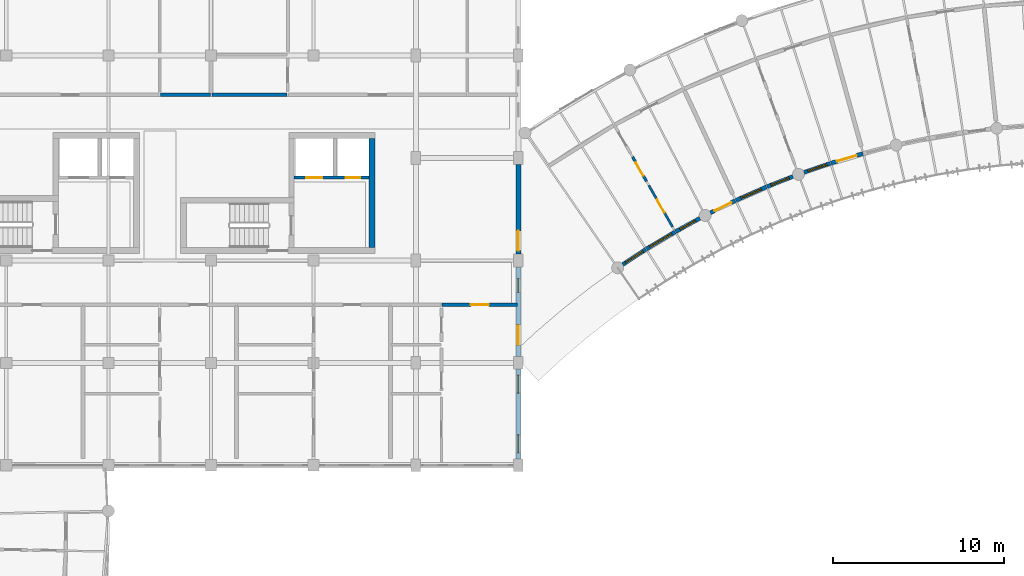
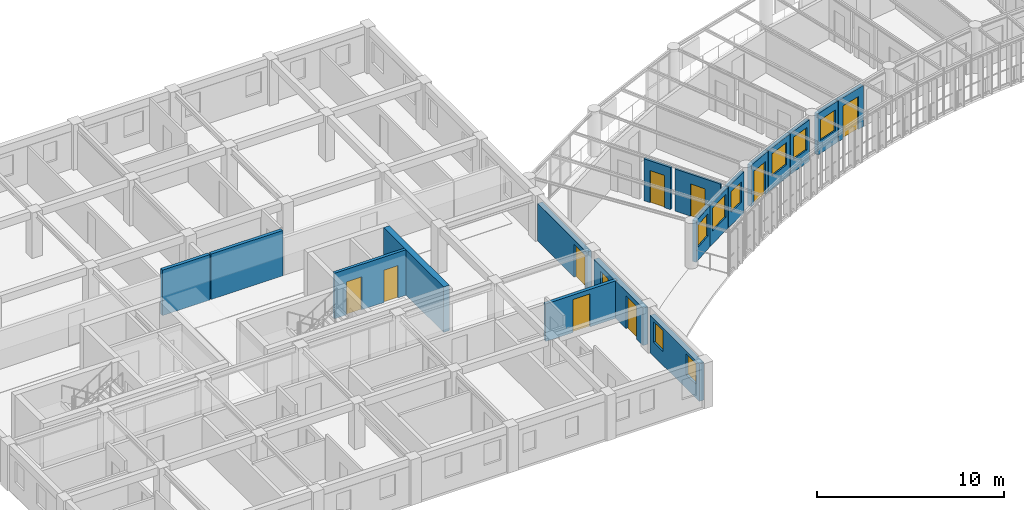
# One storey, part 71 of 100: 18 walls, 9 doors, 9 windows, 18 openings.
"""IFC4 building model written with IfcOpenShell, lengths in metres."""

from ifc_helpers import new_model, si_unit, direction, frame, frame_2d, origin, place, context, subcontext, project, spatial, rectangle, extrude, material, layer, layer_set, type_object, element, fill, save


model = new_model("IFC4")

# Units and contexts
model_context = context("Model", 3, precision=1e-05, world=origin(), true_north=direction((0.0, 1.0)))
body_context = subcontext(model_context, "Body", "Model", "MODEL_VIEW")
ifc_project = project(units=[si_unit("LENGTHUNIT", "METRE"), si_unit("AREAUNIT", "SQUARE_METRE"), si_unit("VOLUMEUNIT", "CUBIC_METRE"), si_unit("PLANEANGLEUNIT", "RADIAN"), si_unit("MASSUNIT", "GRAM", prefix="KILO"), si_unit("POWERUNIT", "WATT"), si_unit("THERMODYNAMICTEMPERATUREUNIT", "KELVIN")], contexts=[model_context])

# Site, building, storey
site_placement = place(None, origin())
site = spatial("IfcSite", under=ifc_project, at=site_placement, CompositionType="ELEMENT")
building_placement = place(site_placement, origin())
building = spatial("IfcBuilding", under=site, at=building_placement, Name="Ruvembo Vaulted Housing Court", CompositionType="ELEMENT")
storey_placement = place(building_placement, frame((0.0, 0.0, 10.89990234375)))
storey = spatial("IfcBuildingStorey", under=building, at=storey_placement, Name="L03", CompositionType="ELEMENT", Elevation=10.89990234375)

# Wall
ifc_material_1 = material(Name="Concrete C35/45", Category="concrete")
ifc_layer_1 = layer(ifc_material_1, 0.35009765625, Name="Concrete C35/45")
ifc_layer_set_1 = layer_set([ifc_layer_1], Name="Concrete C35/45")
wall_type_1 = type_object("IfcWallType", Name="WL-CORE-350", PredefinedType="SHEAR", material=ifc_layer_set_1)
wall_1_placement = place(storey_placement, frame((75.425048828125, 90.75, 0.0), z_axis=(0.0, 0.0, 1.0), x_axis=(0.0, 1.0, 0.0)))
element("IfcWall", 1, at=wall_1_placement, inside=storey, type_object=wall_type_1, Name="Core B2 L03 East Shear Wall", PredefinedType="SHEAR", context=body_context, shape_type="SweptSolid", body=[
    extrude(rectangle(XDim=6.39990234375, YDim=0.35009765625, at=frame_2d((3.199951171875, 0.0))), origin(), (0.0, 0.0, 1.0), 2.960205078125),
])

# Wall, opening, door
ifc_material_2 = material(Name="Concrete Blockwork 200", Category="masonry")
ifc_layer_2 = layer(ifc_material_2, 0.199951171875, Name="Concrete Blockwork 200")
ifc_layer_set_2 = layer_set([ifc_layer_2], Name="Concrete Blockwork 200")
wall_type_2 = type_object("IfcWallType", Name="WL-CORR-200", PredefinedType="SOLIDWALL", material=ifc_layer_set_2)
wall_2_placement = place(storey_placement, frame((79.5400390625, 87.39990234375, 0.0), z_axis=(0.0, 0.0, 1.0), x_axis=(1.0, 0.0, 0.0)))
wall_2 = element("IfcWall", 2, at=wall_2_placement, inside=storey, type_object=wall_type_2, Name="L03 Flat B-L03-S4 Entrance WL-INT-L03-00850", PredefinedType="SOLIDWALL", context=body_context, shape_type="SweptSolid", body=[
    extrude(rectangle(XDim=4.419921875, YDim=0.199951171875, at=frame_2d((2.2099609375, 0.0))), origin(), (0.0, 0.0, 1.0), 2.442138671875),
])
opening_1_placement = place(wall_2_placement, frame((1.68505859375, 0.0, 0.0)))
opening_1 = element("IfcOpeningElement", 3, at=opening_1_placement, cuts=wall_2, Name="Opening FD3", PredefinedType="OPENING", context=body_context, shape_type="SweptSolid", body=[
    extrude(rectangle(XDim=1.050048828125, YDim=2.14990234375, at=frame_2d((0.52490234375, 1.074951171875))), frame((0.0, 0.10986328125, 0.0), z_axis=(0.0, -1.0, 0.0), x_axis=(1.0, 0.0, 0.0)), (0.0, 0.0, 1.0), 0.219970703125),
])
ifc_material_3 = material(Name="FSC Hardwood and Engineered Timber", Category="wood")
door_type_1 = type_object("IfcDoorType", Name="DR-FLAT-1050x2150", OperationType="NOTDEFINED", PredefinedType="DOOR", material=ifc_material_3)
door_1_placement = place(opening_1_placement, origin())
door_1 = element("IfcDoor", 4, at=door_1_placement, inside=storey, type_object=door_type_1, Name="L03 Flat B-L03-S4 Entrance Door DR-INT-L03-00470", OperationType="SINGLE_SWING_RIGHT", OverallHeight=2.14990234375, OverallWidth=1.050048828125, PredefinedType="DOOR", context=body_context, shape_type="SweptSolid", body=[
    extrude(rectangle(XDim=1.050048828125, YDim=2.14990234375, at=frame_2d((0.52490234375, 1.074951171875))), frame((0.0, 0.02490234375, 0.0), z_axis=(0.0, -1.0, 0.0), x_axis=(1.0, 0.0, 0.0)), (0.0, 0.0, 1.0), 0.050048828125),
])
fill(opening_1, door_1)

# Walls
wall_3_placement = place(storey_placement, frame((63.0400390625, 99.699951171875, 0.0), z_axis=(0.0, 0.0, 1.0), x_axis=(1.0, 0.0, 0.0)))
element("IfcWall", 5, at=wall_3_placement, inside=storey, type_object=wall_type_2, Name="L03 Flat B-L03-N1 Corridor Wall 2 WL-INT-L03-00864", PredefinedType="SOLIDWALL", context=body_context, shape_type="SweptSolid", body=[
    extrude(rectangle(XDim=2.919921875, YDim=0.199951171875, at=frame_2d((1.4599609375, 0.0))), origin(), (0.0, 0.0, 1.0), 2.960205078125),
])
wall_4_placement = place(storey_placement, frame((66.0400390625, 99.699951171875, 0.0), z_axis=(0.0, 0.0, 1.0), x_axis=(1.0, 0.0, 0.0)))
element("IfcWall", 6, at=wall_4_placement, inside=storey, type_object=wall_type_2, Name="L03 Flat B-L03-N2 Corridor Wall WL-INT-L03-00866", PredefinedType="SOLIDWALL", context=body_context, shape_type="SweptSolid", body=[
    extrude(rectangle(XDim=4.419921875, YDim=0.199951171875, at=frame_2d((2.2099609375, 0.0))), origin(), (0.0, 0.0, 1.0), 2.960205078125),
])

# Wall, opening, window
ifc_material_4 = material(Name="Rendered Masonry 235", Category="masonry")
ifc_layer_3 = layer(ifc_material_4, 0.235107421875, Name="Rendered Masonry 235")
ifc_layer_set_3 = layer_set([ifc_layer_3], Name="Rendered Masonry 235")
wall_type_3 = type_object("IfcWallType", Name="WL-EXT-235", PredefinedType="STANDARD", material=ifc_layer_set_3)
wall_5_placement = place(storey_placement, frame((90.1142578125, 89.756591796875, 0.0), z_axis=(0.0, 0.0, 1.0), x_axis=(0.835873156341, 0.548922641644, 0.0)))
wall_5 = element("IfcWall", 7, at=wall_5_placement, inside=storey, type_object=wall_type_3, Name="Scoop SC3 L03 Concave Balcony Wall 0", PredefinedType="STANDARD", context=body_context, shape_type="SweptSolid", body=[
    extrude(rectangle(XDim=1.62255859375, YDim=0.235107421875, at=frame_2d((0.811279296875, 0.0))), origin(), (0.0, 0.0, 1.0), 2.68408203125),
])
opening_2_placement = place(wall_5_placement, frame((0.211181640625, 0.0, 0.85009765625)))
opening_2 = element("IfcOpeningElement", 8, at=opening_2_placement, cuts=wall_5, Name="Opening W13", PredefinedType="OPENING", context=body_context, shape_type="SweptSolid", body=[
    extrude(rectangle(XDim=1.199951171875, YDim=1.449951171875, at=frame_2d((0.60009765625, 0.72509765625))), frame((0.0, 0.12744140625, 0.0), z_axis=(0.0, -1.0, 0.0), x_axis=(1.0, 0.0, 0.0)), (0.0, 0.0, 1.0), 0.255126953125),
])
ifc_material_5 = material(Name="Double Solar-Control Glazing in Aluminium Frame", Category="aluminium")
window_type_1 = type_object("IfcWindowType", Name="WIN-1200x1450", PartitioningType="SINGLE_PANEL", PredefinedType="WINDOW", material=ifc_material_5)
window_1_placement = place(opening_2_placement, origin())
window_1 = element("IfcWindow", 9, at=window_1_placement, inside=storey, type_object=window_type_1, Name="Scoop SC3 L03 Concave Window 0", OverallHeight=1.449951171875, OverallWidth=1.199951171875, PartitioningType="SINGLE_PANEL", PredefinedType="WINDOW", context=body_context, shape_type="SweptSolid", body=[
    extrude(rectangle(XDim=1.199951171875, YDim=1.449951171875, at=frame_2d((0.60009765625, 0.72509765625))), frame((0.0, 0.030029296875, 0.0), z_axis=(0.0, -1.0, 0.0), x_axis=(1.0, 0.0, 0.0)), (0.0, 0.0, 1.0), 0.06005859375),
])
fill(opening_2, window_1)

wall_6_placement = place(storey_placement, frame((91.50439453125, 90.66845703125, 0.0), z_axis=(0.0, 0.0, 1.0), x_axis=(0.85787888411, 0.51385194385, 0.0)))
wall_6 = element("IfcWall", 10, at=wall_6_placement, inside=storey, type_object=wall_type_3, Name="Scoop SC3 L03 Concave Balcony Wall 1", PredefinedType="STANDARD", context=body_context, shape_type="SweptSolid", body=[
    extrude(rectangle(XDim=1.9521484375, YDim=0.235107421875, at=frame_2d((0.97607421875, 0.0))), origin(), (0.0, 0.0, 1.0), 2.68408203125),
])
opening_3_placement = place(wall_6_placement, frame((0.226318359375, 0.0, 0.85009765625)))
opening_3 = element("IfcOpeningElement", 11, at=opening_3_placement, cuts=wall_6, Name="Opening W19", PredefinedType="OPENING", context=body_context, shape_type="SweptSolid", body=[
    extrude(rectangle(XDim=1.5, YDim=1.5, at=frame_2d((0.75, 0.75))), frame((0.0, 0.12744140625, 0.0), z_axis=(0.0, -1.0, 0.0), x_axis=(1.0, 0.0, 0.0)), (0.0, 0.0, 1.0), 0.255126953125),
])
window_type_2 = type_object("IfcWindowType", Name="WIN-1500x1500", PartitioningType="SINGLE_PANEL", PredefinedType="WINDOW", material=ifc_material_5)
window_2_placement = place(opening_3_placement, origin())
window_2 = element("IfcWindow", 12, at=window_2_placement, inside=storey, type_object=window_type_2, Name="Scoop SC3 L03 Concave Window 1", OverallHeight=1.5, OverallWidth=1.5, PartitioningType="SINGLE_PANEL", PredefinedType="WINDOW", context=body_context, shape_type="SweptSolid", body=[
    extrude(rectangle(XDim=1.5, YDim=1.5, at=frame_2d((0.75, 0.75))), frame((0.0, 0.030029296875, 0.0), z_axis=(0.0, -1.0, 0.0), x_axis=(1.0, 0.0, 0.0)), (0.0, 0.0, 1.0), 0.06005859375),
])
fill(opening_3, window_2)

wall_7_placement = place(storey_placement, frame((93.214111328125, 91.691650390625, 0.0), z_axis=(0.0, 0.0, 1.0), x_axis=(0.878452871629, 0.477828999044, 0.0)))
wall_7 = element("IfcWall", 13, at=wall_7_placement, inside=storey, type_object=wall_type_3, Name="Scoop SC3 L03 Concave Balcony Wall 2", PredefinedType="STANDARD", context=body_context, shape_type="SweptSolid", body=[
    extrude(rectangle(XDim=1.622314453125, YDim=0.235107421875, at=frame_2d((0.81103515625, 0.0))), origin(), (0.0, 0.0, 1.0), 2.68408203125),
])
opening_4_placement = place(wall_7_placement, frame((0.2861328125, 0.0, 0.85009765625)))
opening_4 = element("IfcOpeningElement", 14, at=opening_4_placement, cuts=wall_7, Name="Opening W09", PredefinedType="OPENING", context=body_context, shape_type="SweptSolid", body=[
    extrude(rectangle(XDim=1.050048828125, YDim=1.35009765625, at=frame_2d((0.52490234375, 0.675048828125))), frame((0.0, 0.12744140625, 0.0), z_axis=(0.0, -1.0, 0.0), x_axis=(1.0, 0.0, 0.0)), (0.0, 0.0, 1.0), 0.255126953125),
])
window_type_3 = type_object("IfcWindowType", Name="WIN-1050x1350", PartitioningType="SINGLE_PANEL", PredefinedType="WINDOW", material=ifc_material_5)
window_3_placement = place(opening_4_placement, origin())
window_3 = element("IfcWindow", 15, at=window_3_placement, inside=storey, type_object=window_type_3, Name="Scoop SC3 L03 Concave Window 2", OverallHeight=1.35009765625, OverallWidth=1.050048828125, PartitioningType="SINGLE_PANEL", PredefinedType="WINDOW", context=body_context, shape_type="SweptSolid", body=[
    extrude(rectangle(XDim=1.050048828125, YDim=1.35009765625, at=frame_2d((0.52490234375, 0.675048828125))), frame((0.0, 0.030029296875, 0.0), z_axis=(0.0, -1.0, 0.0), x_axis=(1.0, 0.0, 0.0)), (0.0, 0.0, 1.0), 0.06005859375),
])
fill(opening_4, window_3)

# Wall, opening, door
wall_8_placement = place(storey_placement, frame((95.2607421875, 92.7880859375, 0.0), z_axis=(0.0, 0.0, 1.0), x_axis=(0.897535518759, 0.440942164649, 0.0)))
wall_8 = element("IfcWall", 16, at=wall_8_placement, inside=storey, type_object=wall_type_3, Name="Scoop SC3 L03 Concave Balcony Wall 3", PredefinedType="STANDARD", context=body_context, shape_type="SweptSolid", body=[
    extrude(rectangle(XDim=1.622314453125, YDim=0.235107421875, at=frame_2d((0.81103515625, 0.0))), origin(), (0.0, 0.0, 1.0), 2.68408203125),
])
opening_5_placement = place(wall_8_placement, frame((0.26123046875, 0.0, 0.0)))
opening_5 = element("IfcOpeningElement", 17, at=opening_5_placement, cuts=wall_8, Name="Opening BD3", PredefinedType="OPENING", context=body_context, shape_type="SweptSolid", body=[
    extrude(rectangle(XDim=1.10009765625, YDim=2.14990234375, at=frame_2d((0.550048828125, 1.074951171875))), frame((0.0, 0.12744140625, 0.0), z_axis=(0.0, -1.0, 0.0), x_axis=(1.0, 0.0, 0.0)), (0.0, 0.0, 1.0), 0.255126953125),
])
ifc_material_6 = material(Name="Thermally Broken Glazed Aluminium", Category="aluminium")
door_type_2 = type_object("IfcDoorType", Name="DR-BAL-1100x2150", OperationType="NOTDEFINED", PredefinedType="DOOR", material=ifc_material_6)
door_2_placement = place(opening_5_placement, frame((1.10009765625, 0.0, 0.0), z_axis=(0.0, 0.0, 1.0), x_axis=(-1.0, 0.0, 0.0)))
door_2 = element("IfcDoor", 18, at=door_2_placement, inside=storey, type_object=door_type_2, Name="Scoop SC3 L03 Balcony Door 3", OperationType="SINGLE_SWING_LEFT", OverallHeight=2.14990234375, OverallWidth=1.10009765625, PredefinedType="DOOR", context=body_context, shape_type="SweptSolid", body=[
    extrude(rectangle(XDim=1.10009765625, YDim=2.14990234375, at=frame_2d((0.550048828125, 1.074951171875))), frame((0.0, 0.02490234375, 0.0), z_axis=(0.0, -1.0, 0.0), x_axis=(1.0, 0.0, 0.0)), (0.0, 0.0, 1.0), 0.050048828125),
])
fill(opening_5, door_2)

# Wall, opening, window
wall_9_placement = place(storey_placement, frame((96.753173828125, 93.5205078125, 0.0), z_axis=(0.0, 0.0, 1.0), x_axis=(0.915126852478, 0.403166025197, 0.0)))
wall_9 = element("IfcWall", 19, at=wall_9_placement, inside=storey, type_object=wall_type_3, Name="Scoop SC3 L03 Concave Balcony Wall 4", PredefinedType="STANDARD", context=body_context, shape_type="SweptSolid", body=[
    extrude(rectangle(XDim=1.952392578125, YDim=0.235107421875, at=frame_2d((0.97607421875, 0.0))), origin(), (0.0, 0.0, 1.0), 2.68408203125),
])
opening_6_placement = place(wall_9_placement, frame((0.326171875, 0.0, 0.85009765625)))
opening_6 = element("IfcOpeningElement", 20, at=opening_6_placement, cuts=wall_9, Name="Opening W15", PredefinedType="OPENING", context=body_context, shape_type="SweptSolid", body=[
    extrude(rectangle(XDim=1.300048828125, YDim=1.449951171875, at=frame_2d((0.64990234375, 0.72509765625))), frame((0.0, 0.12744140625, 0.0), z_axis=(0.0, -1.0, 0.0), x_axis=(1.0, 0.0, 0.0)), (0.0, 0.0, 1.0), 0.255126953125),
])
window_type_4 = type_object("IfcWindowType", Name="WIN-1300x1450", PartitioningType="SINGLE_PANEL", PredefinedType="WINDOW", material=ifc_material_5)
window_4_placement = place(opening_6_placement, origin())
window_4 = element("IfcWindow", 21, at=window_4_placement, inside=storey, type_object=window_type_4, Name="Scoop SC3 L03 Concave Window 4", OverallHeight=1.449951171875, OverallWidth=1.300048828125, PartitioningType="SINGLE_PANEL", PredefinedType="WINDOW", context=body_context, shape_type="SweptSolid", body=[
    extrude(rectangle(XDim=1.300048828125, YDim=1.449951171875, at=frame_2d((0.64990234375, 0.72509765625))), frame((0.0, 0.030029296875, 0.0), z_axis=(0.0, -1.0, 0.0), x_axis=(1.0, 0.0, 0.0)), (0.0, 0.0, 1.0), 0.06005859375),
])
fill(opening_6, window_4)

wall_10_placement = place(storey_placement, frame((98.57666015625, 94.322998046875, 0.0), z_axis=(0.0, 0.0, 1.0), x_axis=(0.930967180533, 0.365102874228, 0.0)))
wall_10 = element("IfcWall", 22, at=wall_10_placement, inside=storey, type_object=wall_type_3, Name="Scoop SC3 L03 Concave Balcony Wall 5", PredefinedType="STANDARD", context=body_context, shape_type="SweptSolid", body=[
    extrude(rectangle(XDim=1.622314453125, YDim=0.235107421875, at=frame_2d((0.81103515625, 0.0))), origin(), (0.0, 0.0, 1.0), 2.68408203125),
])
opening_7_placement = place(wall_10_placement, frame((0.236083984375, 0.0, 0.85009765625)))
opening_7 = element("IfcOpeningElement", 23, at=opening_7_placement, cuts=wall_10, Name="Opening W11", PredefinedType="OPENING", context=body_context, shape_type="SweptSolid", body=[
    extrude(rectangle(XDim=1.14990234375, YDim=1.449951171875, at=frame_2d((0.574951171875, 0.72509765625))), frame((0.0, 0.12744140625, 0.0), z_axis=(0.0, -1.0, 0.0), x_axis=(1.0, 0.0, 0.0)), (0.0, 0.0, 1.0), 0.255126953125),
])
window_type_5 = type_object("IfcWindowType", Name="WIN-1150x1450", PartitioningType="SINGLE_PANEL", PredefinedType="WINDOW", material=ifc_material_5)
window_5_placement = place(opening_7_placement, origin())
window_5 = element("IfcWindow", 24, at=window_5_placement, inside=storey, type_object=window_type_5, Name="Scoop SC3 L03 Concave Window 5", OverallHeight=1.449951171875, OverallWidth=1.14990234375, PartitioningType="SINGLE_PANEL", PredefinedType="WINDOW", context=body_context, shape_type="SweptSolid", body=[
    extrude(rectangle(XDim=1.14990234375, YDim=1.449951171875, at=frame_2d((0.574951171875, 0.72509765625))), frame((0.0, 0.030029296875, 0.0), z_axis=(0.0, -1.0, 0.0), x_axis=(1.0, 0.0, 0.0)), (0.0, 0.0, 1.0), 0.06005859375),
])
fill(opening_7, window_5)

wall_11_placement = place(storey_placement, frame((100.743896484375, 95.156982421875, 0.0), z_axis=(0.0, 0.0, 1.0), x_axis=(0.945336194352, 0.32609734689, 0.0)))
wall_11 = element("IfcWall", 25, at=wall_11_placement, inside=storey, type_object=wall_type_3, Name="Scoop SC3 L03 Concave Balcony Wall 6", PredefinedType="STANDARD", context=body_context, shape_type="SweptSolid", body=[
    extrude(rectangle(XDim=1.622314453125, YDim=0.235107421875, at=frame_2d((0.81103515625, 0.0))), origin(), (0.0, 0.0, 1.0), 2.68408203125),
])
opening_8_placement = place(wall_11_placement, frame((0.211181640625, 0.0, 0.85009765625)))
opening_8 = element("IfcOpeningElement", 26, at=opening_8_placement, cuts=wall_11, Name="Opening W12", PredefinedType="OPENING", context=body_context, shape_type="SweptSolid", body=[
    extrude(rectangle(XDim=1.199951171875, YDim=1.35009765625, at=frame_2d((0.60009765625, 0.675048828125))), frame((0.0, 0.12744140625, 0.0), z_axis=(0.0, -1.0, 0.0), x_axis=(1.0, 0.0, 0.0)), (0.0, 0.0, 1.0), 0.255126953125),
])
window_type_6 = type_object("IfcWindowType", Name="WIN-1200x1350", PartitioningType="SINGLE_PANEL", PredefinedType="WINDOW", material=ifc_material_5)
window_6_placement = place(opening_8_placement, origin())
window_6 = element("IfcWindow", 27, at=window_6_placement, inside=storey, type_object=window_type_6, Name="Scoop SC3 L03 Concave Window 6", OverallHeight=1.35009765625, OverallWidth=1.199951171875, PartitioningType="SINGLE_PANEL", PredefinedType="WINDOW", context=body_context, shape_type="SweptSolid", body=[
    extrude(rectangle(XDim=1.199951171875, YDim=1.35009765625, at=frame_2d((0.60009765625, 0.675048828125))), frame((0.0, 0.030029296875, 0.0), z_axis=(0.0, -1.0, 0.0), x_axis=(1.0, 0.0, 0.0)), (0.0, 0.0, 1.0), 0.06005859375),
])
fill(opening_8, window_6)

# Wall, opening, door
wall_12_placement = place(storey_placement, frame((102.315673828125, 95.6982421875, 0.0), z_axis=(0.0, 0.0, 1.0), x_axis=(0.95807718441, 0.286510224446, 0.0)))
wall_12 = element("IfcWall", 28, at=wall_12_placement, inside=storey, type_object=wall_type_3, Name="Scoop SC3 L03 Concave Balcony Wall 7", PredefinedType="STANDARD", context=body_context, shape_type="SweptSolid", body=[
    extrude(rectangle(XDim=1.9521484375, YDim=0.235107421875, at=frame_2d((0.97607421875, 0.0))), origin(), (0.0, 0.0, 1.0), 2.68408203125),
])
opening_9_placement = place(wall_12_placement, frame((0.376220703125, 0.0, 0.0)))
opening_9 = element("IfcOpeningElement", 29, at=opening_9_placement, cuts=wall_12, Name="Opening BD2", PredefinedType="OPENING", context=body_context, shape_type="SweptSolid", body=[
    extrude(rectangle(XDim=1.199951171875, YDim=2.14990234375, at=frame_2d((0.60009765625, 1.074951171875))), frame((0.0, 0.12744140625, 0.0), z_axis=(0.0, -1.0, 0.0), x_axis=(1.0, 0.0, 0.0)), (0.0, 0.0, 1.0), 0.255126953125),
])
door_type_3 = type_object("IfcDoorType", Name="DR-BAL-1200x2150", OperationType="NOTDEFINED", PredefinedType="DOOR", material=ifc_material_6)
door_3_placement = place(opening_9_placement, frame((1.199951171875, 0.0, 0.0), z_axis=(0.0, 0.0, 1.0), x_axis=(-1.0, 0.0, 0.0)))
door_3 = element("IfcDoor", 30, at=door_3_placement, inside=storey, type_object=door_type_3, Name="Scoop SC3 L03 Balcony Door 7", OperationType="SINGLE_SWING_RIGHT", OverallHeight=2.14990234375, OverallWidth=1.199951171875, PredefinedType="DOOR", context=body_context, shape_type="SweptSolid", body=[
    extrude(rectangle(XDim=1.199951171875, YDim=2.14990234375, at=frame_2d((0.60009765625, 1.074951171875))), frame((0.0, 0.02490234375, 0.0), z_axis=(0.0, -1.0, 0.0), x_axis=(1.0, 0.0, 0.0)), (0.0, 0.0, 1.0), 0.050048828125),
])
fill(opening_9, door_3)

# Wall, openings, windows
ifc_material_7 = material(Name="Rendered Masonry 300", Category="masonry")
ifc_layer_4 = layer(ifc_material_7, 0.300048828125, Name="Rendered Masonry 300")
ifc_layer_set_4 = layer_set([ifc_layer_4], Name="Rendered Masonry 300")
wall_type_4 = type_object("IfcWallType", Name="WL-EXT-300", PredefinedType="STANDARD", material=ifc_layer_set_4)
wall_13_placement = place(storey_placement, frame((84.0, 78.375, 0.0), z_axis=(0.0, 0.0, 1.0), x_axis=(0.0, 1.0, 0.0)))
wall_13 = element("IfcWall", 31, at=wall_13_placement, inside=storey, type_object=wall_type_4, Name="Block B L03 Exterior Wall EAST #1", PredefinedType="STANDARD", context=body_context, shape_type="SweptSolid", body=[
    extrude(rectangle(XDim=5.25, YDim=0.300048828125, at=frame_2d((2.625, 0.0))), origin(), (0.0, 0.0, 1.0), 2.442138671875),
])
opening_10_placement = place(wall_13_placement, frame((0.35009765625, 0.0, 0.89990234375)))
opening_10 = element("IfcOpeningElement", 32, at=opening_10_placement, cuts=wall_13, Name="Opening W09", PredefinedType="OPENING", context=body_context, shape_type="SweptSolid", body=[
    extrude(rectangle(XDim=1.050048828125, YDim=1.35009765625, at=frame_2d((0.52490234375, 0.675048828125))), frame((0.0, 0.159912109375, 0.0), z_axis=(0.0, -1.0, 0.0), x_axis=(1.0, 0.0, 0.0)), (0.0, 0.0, 1.0), 0.320068359375),
])
opening_11_placement = place(wall_13_placement, frame((3.85009765625, 0.0, 0.89990234375)))
opening_11 = element("IfcOpeningElement", 33, at=opening_11_placement, cuts=wall_13, Name="Opening W09", PredefinedType="OPENING", context=body_context, shape_type="SweptSolid", body=[
    extrude(rectangle(XDim=1.050048828125, YDim=1.35009765625, at=frame_2d((0.52490234375, 0.675048828125))), frame((0.0, 0.159912109375, 0.0), z_axis=(0.0, -1.0, 0.0), x_axis=(1.0, 0.0, 0.0)), (0.0, 0.0, 1.0), 0.320068359375),
])
window_7_placement = place(opening_10_placement, origin())
window_7 = element("IfcWindow", 34, at=window_7_placement, inside=storey, type_object=window_type_3, Name="Block B L03 Window #736", OverallHeight=1.35009765625, OverallWidth=1.050048828125, PartitioningType="SINGLE_PANEL", PredefinedType="WINDOW", context=body_context, shape_type="SweptSolid", body=[
    extrude(rectangle(XDim=1.050048828125, YDim=1.35009765625, at=frame_2d((0.52490234375, 0.675048828125))), frame((0.0, 0.030029296875, 0.0), z_axis=(0.0, -1.0, 0.0), x_axis=(1.0, 0.0, 0.0)), (0.0, 0.0, 1.0), 0.06005859375),
])
fill(opening_10, window_7)
window_8_placement = place(opening_11_placement, origin())
window_8 = element("IfcWindow", 35, at=window_8_placement, inside=storey, type_object=window_type_3, Name="Block B L03 Window #737", OverallHeight=1.35009765625, OverallWidth=1.050048828125, PartitioningType="SINGLE_PANEL", PredefinedType="WINDOW", context=body_context, shape_type="SweptSolid", body=[
    extrude(rectangle(XDim=1.050048828125, YDim=1.35009765625, at=frame_2d((0.52490234375, 0.675048828125))), frame((0.0, 0.030029296875, 0.0), z_axis=(0.0, -1.0, 0.0), x_axis=(1.0, 0.0, 0.0)), (0.0, 0.0, 1.0), 0.06005859375),
])
fill(opening_11, window_8)

# Wall, openings, door, window
wall_14_placement = place(storey_placement, frame((84.0, 84.375, 0.0), z_axis=(0.0, 0.0, 1.0), x_axis=(0.0, 1.0, 0.0)))
wall_14 = element("IfcWall", 36, at=wall_14_placement, inside=storey, type_object=wall_type_4, Name="Block B L03 Exterior Wall EAST #2", PredefinedType="STANDARD", context=body_context, shape_type="SweptSolid", body=[
    extrude(rectangle(XDim=5.25, YDim=0.300048828125, at=frame_2d((2.625, 0.0))), origin(), (0.0, 0.0, 1.0), 2.442138671875),
])
opening_12_placement = place(wall_14_placement, frame((0.67822265625, 0.0, 0.0)))
opening_12 = element("IfcOpeningElement", 37, at=opening_12_placement, cuts=wall_14, Name="Opening GD1", PredefinedType="OPENING", context=body_context, shape_type="SweptSolid", body=[
    extrude(rectangle(XDim=1.14990234375, YDim=2.14990234375, at=frame_2d((0.574951171875, 1.074951171875))), frame((0.0, 0.159912109375, 0.0), z_axis=(0.0, -1.0, 0.0), x_axis=(1.0, 0.0, 0.0)), (0.0, 0.0, 1.0), 0.320068359375),
])
opening_13_placement = place(wall_14_placement, frame((3.757568359375, 0.0, 0.89990234375)))
opening_13 = element("IfcOpeningElement", 38, at=opening_13_placement, cuts=wall_14, Name="Opening W02", PredefinedType="OPENING", context=body_context, shape_type="SweptSolid", body=[
    extrude(rectangle(XDim=0.800048828125, YDim=1.199951171875, at=frame_2d((0.39990234375, 0.60009765625))), frame((0.0, 0.159912109375, 0.0), z_axis=(0.0, -1.0, 0.0), x_axis=(1.0, 0.0, 0.0)), (0.0, 0.0, 1.0), 0.320068359375),
])
door_type_4 = type_object("IfcDoorType", Name="DR-GAL-1150x2150", OperationType="NOTDEFINED", PredefinedType="DOOR", material=ifc_material_6)
door_4_placement = place(opening_12_placement, frame((1.14990234375, 0.0, 0.0), z_axis=(0.0, 0.0, 1.0), x_axis=(-1.0, 0.0, 0.0)))
door_4 = element("IfcDoor", 39, at=door_4_placement, inside=storey, type_object=door_type_4, Name="Block B L03 Terrace or Gallery Door DR-TER-B-L03-037", OperationType="SINGLE_SWING_RIGHT", OverallHeight=2.14990234375, OverallWidth=1.14990234375, PredefinedType="DOOR", context=body_context, shape_type="SweptSolid", body=[
    extrude(rectangle(XDim=1.14990234375, YDim=2.14990234375, at=frame_2d((0.574951171875, 1.074951171875))), frame((0.0, 0.02490234375, 0.0), z_axis=(0.0, -1.0, 0.0), x_axis=(1.0, 0.0, 0.0)), (0.0, 0.0, 1.0), 0.050048828125),
])
fill(opening_12, door_4)
window_type_7 = type_object("IfcWindowType", Name="WIN-0800x1200", PartitioningType="SINGLE_PANEL", PredefinedType="WINDOW", material=ifc_material_5)
window_9_placement = place(opening_13_placement, origin())
window_9 = element("IfcWindow", 40, at=window_9_placement, inside=storey, type_object=window_type_7, Name="Block B L03 Window #738", OverallHeight=1.199951171875, OverallWidth=0.800048828125, PartitioningType="SINGLE_PANEL", PredefinedType="WINDOW", context=body_context, shape_type="SweptSolid", body=[
    extrude(rectangle(XDim=0.800048828125, YDim=1.199951171875, at=frame_2d((0.39990234375, 0.60009765625))), frame((0.0, 0.030029296875, 0.0), z_axis=(0.0, -1.0, 0.0), x_axis=(1.0, 0.0, 0.0)), (0.0, 0.0, 1.0), 0.06005859375),
])
fill(opening_13, window_9)

# Wall, opening, door
wall_15_placement = place(storey_placement, frame((84.0, 90.375, 0.0), z_axis=(0.0, 0.0, 1.0), x_axis=(0.0, 1.0, 0.0)))
wall_15 = element("IfcWall", 41, at=wall_15_placement, inside=storey, type_object=wall_type_4, Name="Block B L03 Exterior Wall EAST #3", PredefinedType="STANDARD", context=body_context, shape_type="SweptSolid", body=[
    extrude(rectangle(XDim=5.25, YDim=0.300048828125, at=frame_2d((2.625, 0.0))), origin(), (0.0, 0.0, 1.0), 2.442138671875),
])
opening_14_placement = place(wall_15_placement, frame((0.199951171875, 0.0, 0.0)))
opening_14 = element("IfcOpeningElement", 42, at=opening_14_placement, cuts=wall_15, Name="Opening GD1", PredefinedType="OPENING", context=body_context, shape_type="SweptSolid", body=[
    extrude(rectangle(XDim=1.14990234375, YDim=2.14990234375, at=frame_2d((0.574951171875, 1.074951171875))), frame((0.0, 0.159912109375, 0.0), z_axis=(0.0, -1.0, 0.0), x_axis=(1.0, 0.0, 0.0)), (0.0, 0.0, 1.0), 0.320068359375),
])
door_5_placement = place(opening_14_placement, frame((1.14990234375, 0.0, 0.0), z_axis=(0.0, 0.0, 1.0), x_axis=(-1.0, 0.0, 0.0)))
door_5 = element("IfcDoor", 43, at=door_5_placement, inside=storey, type_object=door_type_4, Name="Block B L03 Terrace or Gallery Door DR-TER-B-L03-038", OperationType="SINGLE_SWING_LEFT", OverallHeight=2.14990234375, OverallWidth=1.14990234375, PredefinedType="DOOR", context=body_context, shape_type="SweptSolid", body=[
    extrude(rectangle(XDim=1.14990234375, YDim=2.14990234375, at=frame_2d((0.574951171875, 1.074951171875))), frame((0.0, 0.02490234375, 0.0), z_axis=(0.0, -1.0, 0.0), x_axis=(1.0, 0.0, 0.0)), (0.0, 0.0, 1.0), 0.050048828125),
])
fill(opening_14, door_5)

ifc_material_8 = material(Name="Acoustic Stud Partition 135", Category="gypsum")
ifc_layer_5 = layer(ifc_material_8, 0.135009765625, Name="Acoustic Stud Partition 135")
ifc_layer_set_5 = layer_set([ifc_layer_5], Name="Acoustic Stud Partition 135")
wall_type_5 = type_object("IfcWallType", Name="WL-PART-135", PredefinedType="PARTITIONING", material=ifc_layer_set_5)
wall_16_placement = place(storey_placement, frame((93.03369140625, 91.966796875, 0.0), z_axis=(0.0, 0.0, 1.0), x_axis=(-0.495951127449, 0.868350435701, 0.0)))
wall_16 = element("IfcWall", 44, at=wall_16_placement, inside=storey, type_object=wall_type_5, Name="L03 Suite SC3-L03-U1 Bedroom WL-INT-L03-01047", PredefinedType="PARTITIONING", context=body_context, shape_type="SweptSolid", body=[
    extrude(rectangle(XDim=2.800048828125, YDim=0.135009765625, at=frame_2d((1.39990234375, 0.0))), origin(), (0.0, 0.0, 1.0), 2.7421875),
])
opening_15_placement = place(wall_16_placement, frame((0.960205078125, 0.0, 0.0)))
opening_15 = element("IfcOpeningElement", 45, at=opening_15_placement, cuts=wall_16, Name="Opening ID3", PredefinedType="OPENING", context=body_context, shape_type="SweptSolid", body=[
    extrude(rectangle(XDim=0.8798828125, YDim=2.10009765625, at=frame_2d((0.43994140625, 1.050048828125))), frame((0.0, 0.077392578125, 0.0), z_axis=(0.0, -1.0, 0.0), x_axis=(1.0, 0.0, 0.0)), (0.0, 0.0, 1.0), 0.155029296875),
])
door_type_5 = type_object("IfcDoorType", Name="DR-ROOM-0880x2100", OperationType="NOTDEFINED", PredefinedType="DOOR", material=ifc_material_3)
door_6_placement = place(opening_15_placement, origin())
door_6 = element("IfcDoor", 46, at=door_6_placement, inside=storey, type_object=door_type_5, Name="L03 Suite SC3-L03-U1 Bedroom Door DR-INT-L03-00585", OperationType="SINGLE_SWING_LEFT", OverallHeight=2.10009765625, OverallWidth=0.8798828125, PredefinedType="DOOR", context=body_context, shape_type="SweptSolid", body=[
    extrude(rectangle(XDim=0.8798828125, YDim=2.10009765625, at=frame_2d((0.43994140625, 1.050048828125))), frame((0.0, 0.02490234375, 0.0), z_axis=(0.0, -1.0, 0.0), x_axis=(1.0, 0.0, 0.0)), (0.0, 0.0, 1.0), 0.050048828125),
])
fill(opening_15, door_6)

ifc_material_9 = material(Name="Acoustic Service Chase Wall 160", Category="gypsum")
ifc_layer_6 = layer(ifc_material_9, 0.159912109375, Name="Acoustic Service Chase Wall 160")
ifc_layer_set_6 = layer_set([ifc_layer_6], Name="Acoustic Service Chase Wall 160")
wall_type_6 = type_object("IfcWallType", Name="WL-PLUMB-160", PredefinedType="PLUMBINGWALL", material=ifc_layer_set_6)
wall_17_placement = place(storey_placement, frame((91.51025390625, 94.634521484375, 0.0), z_axis=(0.0, 0.0, 1.0), x_axis=(-0.49583578404, 0.868416302971, 0.0)))
wall_17 = element("IfcWall", 47, at=wall_17_placement, inside=storey, type_object=wall_type_6, Name="L03 Suite SC3-L03-U1 Kitchen WL-INT-L03-01048", PredefinedType="PLUMBINGWALL", context=body_context, shape_type="SweptSolid", body=[
    extrude(rectangle(XDim=1.64794921875, YDim=0.159912109375, at=frame_2d((0.823974609375, 0.0))), origin(), (0.0, 0.0, 1.0), 2.7421875),
])
opening_16_placement = place(wall_17_placement, frame((0.3740234375, 0.0, 0.0)))
opening_16 = element("IfcOpeningElement", 48, at=opening_16_placement, cuts=wall_17, Name="Opening ID1", PredefinedType="OPENING", context=body_context, shape_type="SweptSolid", body=[
    extrude(rectangle(XDim=0.89990234375, YDim=2.10009765625, at=frame_2d((0.449951171875, 1.050048828125))), frame((0.0, 0.08984375, 0.0), z_axis=(0.0, -1.0, 0.0), x_axis=(1.0, 0.0, 0.0)), (0.0, 0.0, 1.0), 0.179931640625),
])
door_type_6 = type_object("IfcDoorType", Name="DR-ROOM-0900x2100", OperationType="NOTDEFINED", PredefinedType="DOOR", material=ifc_material_3)
door_7_placement = place(opening_16_placement, origin())
door_7 = element("IfcDoor", 49, at=door_7_placement, inside=storey, type_object=door_type_6, Name="L03 Suite SC3-L03-U1 Kitchen Door DR-INT-L03-00586", OperationType="SINGLE_SWING_RIGHT", OverallHeight=2.10009765625, OverallWidth=0.89990234375, PredefinedType="DOOR", context=body_context, shape_type="SweptSolid", body=[
    extrude(rectangle(XDim=0.89990234375, YDim=2.10009765625, at=frame_2d((0.449951171875, 1.050048828125))), frame((0.0, 0.02490234375, 0.0), z_axis=(0.0, -1.0, 0.0), x_axis=(1.0, 0.0, 0.0)), (0.0, 0.0, 1.0), 0.050048828125),
])
fill(opening_16, door_7)

# Wall, openings, doors
ifc_material_10 = material(Name="Fire-Rated Masonry Shaft 180", Category="masonry")
ifc_layer_7 = layer(ifc_material_10, 0.179931640625, Name="Fire-Rated Masonry Shaft 180")
ifc_layer_set_7 = layer_set([ifc_layer_7], Name="Fire-Rated Masonry Shaft 180")
wall_type_7 = type_object("IfcWallType", Name="WL-SHAFT-180", PredefinedType="SOLIDWALL", material=ifc_layer_set_7)
wall_18_placement = place(storey_placement, frame((70.85009765625, 94.85009765625, 0.0), z_axis=(0.0, 0.0, 1.0), x_axis=(1.0, 0.0, 0.0)))
wall_18 = element("IfcWall", 50, at=wall_18_placement, inside=storey, type_object=wall_type_7, Name="Core B2 L03 Lift and Riser Front Wall", PredefinedType="SOLIDWALL", context=body_context, shape_type="SweptSolid", body=[
    extrude(rectangle(XDim=4.39990234375, YDim=0.179931640625, at=frame_2d((2.199951171875, 0.0))), origin(), (0.0, 0.0, 1.0), 2.960205078125),
])
opening_17_placement = place(wall_18_placement, frame((0.72509765625, 0.0, 0.0)))
opening_17 = element("IfcOpeningElement", 51, at=opening_17_placement, cuts=wall_18, Name="Opening LD-LP-B2-L03", PredefinedType="OPENING", context=body_context, shape_type="SweptSolid", body=[
    extrude(rectangle(XDim=0.949951171875, YDim=2.14990234375, at=frame_2d((0.47509765625, 1.074951171875))), frame((0.0, 0.099853515625, 0.0), z_axis=(0.0, -1.0, 0.0), x_axis=(1.0, 0.0, 0.0)), (0.0, 0.0, 1.0), 0.199951171875),
])
opening_18_placement = place(wall_18_placement, frame((3.050048828125, 0.0, 0.0)))
opening_18 = element("IfcOpeningElement", 52, at=opening_18_placement, cuts=wall_18, Name="Opening RD1", PredefinedType="OPENING", context=body_context, shape_type="SweptSolid", body=[
    extrude(rectangle(XDim=0.85009765625, YDim=2.10009765625, at=frame_2d((0.425048828125, 1.050048828125))), frame((0.0, 0.099853515625, 0.0), z_axis=(0.0, -1.0, 0.0), x_axis=(1.0, 0.0, 0.0)), (0.0, 0.0, 1.0), 0.199951171875),
])
ifc_material_11 = material(Name="Brushed Stainless Steel 304", Category="steel")
door_type_7 = type_object("IfcDoorType", Name="DR-LIFT-0950x2150", OperationType="NOTDEFINED", PredefinedType="DOOR", material=ifc_material_11)
door_8_placement = place(opening_17_placement, origin())
door_8 = element("IfcDoor", 53, at=door_8_placement, inside=storey, type_object=door_type_7, Name="Lift LP-B2 L03 Sliding Landing Door", OperationType="SLIDING_TO_LEFT", OverallHeight=2.14990234375, OverallWidth=0.949951171875, PredefinedType="DOOR", context=body_context, shape_type="SweptSolid", body=[
    extrude(rectangle(XDim=0.949951171875, YDim=2.14990234375, at=frame_2d((0.47509765625, 1.074951171875))), frame((0.0, 0.02490234375, 0.0), z_axis=(0.0, -1.0, 0.0), x_axis=(1.0, 0.0, 0.0)), (0.0, 0.0, 1.0), 0.050048828125),
])
fill(opening_17, door_8)
ifc_material_12 = material(Name="Galvanised Painted Steel", Category="steel")
door_type_8 = type_object("IfcDoorType", Name="DR-RISER-0850x2100", OperationType="NOTDEFINED", PredefinedType="DOOR", material=ifc_material_12)
door_9_placement = place(opening_18_placement, frame((0.85009765625, 0.0, 0.0), z_axis=(0.0, 0.0, 1.0), x_axis=(-1.0, 0.0, 0.0)))
door_9 = element("IfcDoor", 54, at=door_9_placement, inside=storey, type_object=door_type_8, Name="Core B2 L03 Service Riser Door", OperationType="SINGLE_SWING_RIGHT", OverallHeight=2.10009765625, OverallWidth=0.85009765625, PredefinedType="DOOR", context=body_context, shape_type="SweptSolid", body=[
    extrude(rectangle(XDim=0.85009765625, YDim=2.10009765625, at=frame_2d((0.425048828125, 1.050048828125))), frame((0.0, 0.02490234375, 0.0), z_axis=(0.0, -1.0, 0.0), x_axis=(1.0, 0.0, 0.0)), (0.0, 0.0, 1.0), 0.050048828125),
])
fill(opening_18, door_9)

save(model, "model.ifc")
